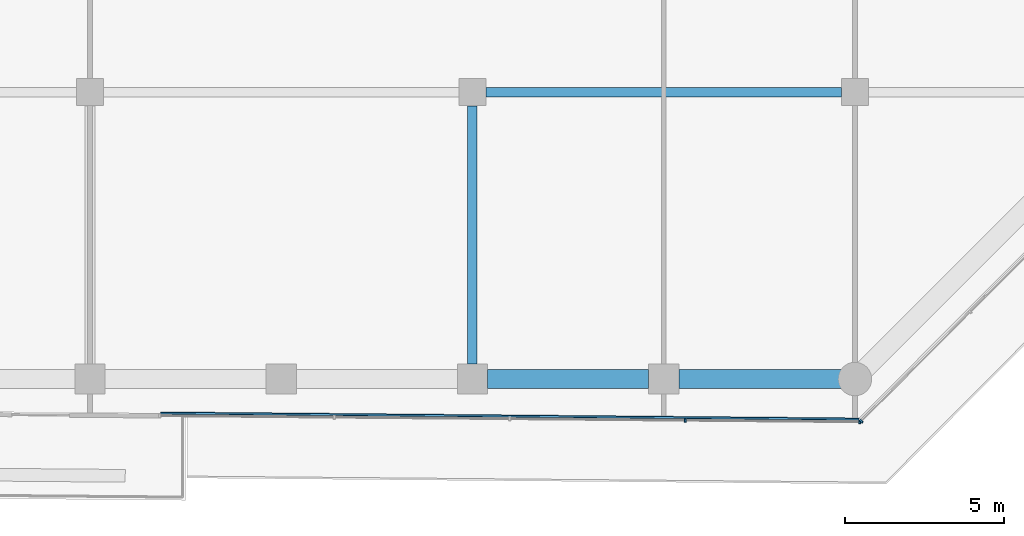
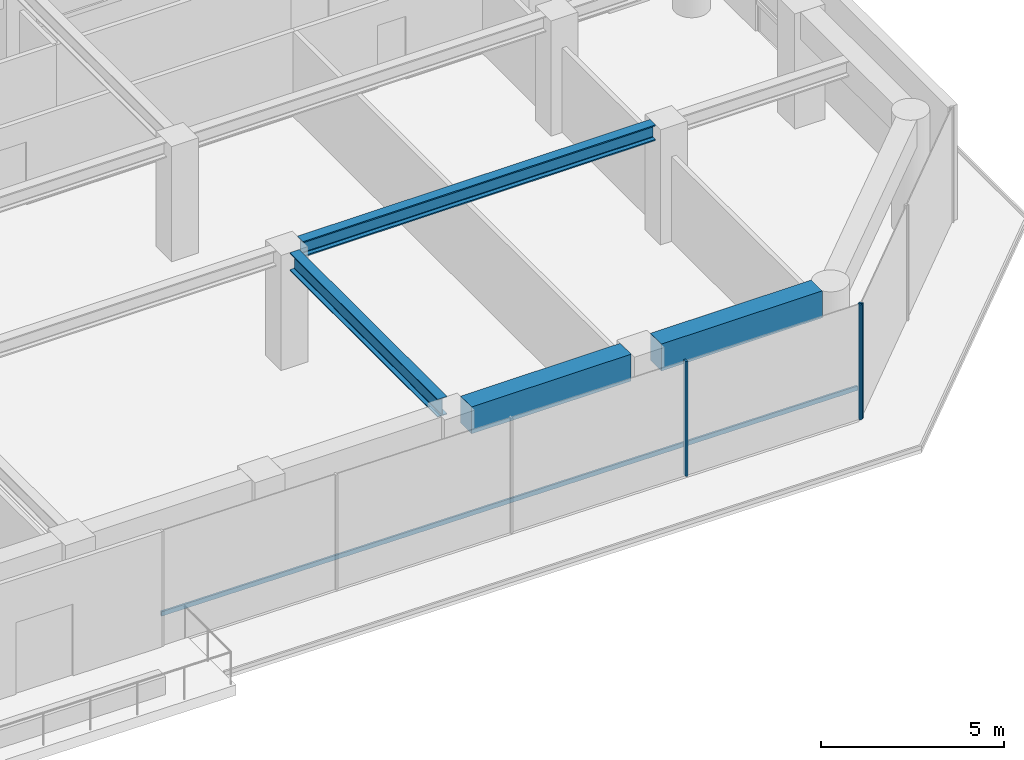
# One storey, part 8 of 29: 4 beams, 4 members, 2 elements without a shape of their own.
"""IFC4 building model written with IfcOpenShell, lengths in metres."""

from ifc_helpers import new_model, si_unit, direction, frame, origin, origin_2d, place, context, subcontext, project, spatial, rectangle, i_section, extrude, material, layer, layer_set, material_profile, profile_set, type_object, element, aggregate, save


model = new_model("IFC4")

# Units and contexts
model_context = context("Model", 3, precision=1e-05, world=origin(), true_north=direction((0.0, 1.0)))
body_context = subcontext(model_context, "Body", "Model", "MODEL_VIEW")
ifc_project = project(units=[si_unit("LENGTHUNIT", "METRE"), si_unit("AREAUNIT", "SQUARE_METRE"), si_unit("VOLUMEUNIT", "CUBIC_METRE"), si_unit("PLANEANGLEUNIT", "RADIAN"), si_unit("MASSUNIT", "GRAM", prefix="KILO")], contexts=[model_context])

# Site, building, storey
site_placement = place(None, origin())
site = spatial("IfcSite", under=ifc_project, at=site_placement, CompositionType="ELEMENT")
building_placement = place(site_placement, origin())
building = spatial("IfcBuilding", under=site, at=building_placement, Name="Welwitschia Terrace Campus", CompositionType="ELEMENT")
storey_placement = place(building_placement, frame((0.0, 0.0, 50.0)))
storey = spatial("IfcBuildingStorey", under=building, at=storey_placement, Name="L11", CompositionType="ELEMENT", Elevation=50.0)

# Beam
ifc_material_1 = material(Name="Steel S355", Category="steel")
ifc_material_profile_1 = material_profile(ifc_material_1, i_section(OverallWidth=0.305908203125, OverallDepth=0.52392578125, WebThickness=0.02099609375, FlangeThickness=0.0400390625, FilletRadius=0.027099609375, at=origin_2d()))
ifc_profile_set_1 = profile_set([ifc_material_profile_1], Name="Steel S355")
beam_type_1 = type_object("IfcBeamType", Name="Interior girder HE 500 M", PredefinedType="BEAM", material=ifc_profile_set_1)
beam_1_placement = place(storey_placement, frame((48.425537109375, 5.0, 3.587890625), z_axis=(1.0, 0.0, 0.0), x_axis=(0.0, 1.0, 0.0)))
element("IfcBeam", 1, at=beam_1_placement, inside=storey, type_object=beam_type_1, Name="Girder GB2", PredefinedType="BEAM", context=body_context, shape_type="SweptSolid", body=[
    extrude(i_section(OverallWidth=0.305908203125, OverallDepth=0.52392578125, WebThickness=0.02099609375, FlangeThickness=0.0400390625, FilletRadius=0.027099609375, at=origin_2d()), origin(), (0.0, 0.0, 1.0), 11.14892578125),
])

# Curtain wall, members
ifc_material_2 = material(Name="Bronze anodised aluminium", Category="aluminium")
ifc_layer = layer(ifc_material_2, 0.1201171875)
ifc_layer_set = layer_set([ifc_layer], Name="Bronze anodised aluminium")
curtain_wall_type = type_object("IfcCurtainWallType", Name="Curtain wall CW2 tower 6000", PredefinedType="NOTDEFINED", material=ifc_layer_set)
curtain_wall_1_placement = place(storey_placement, origin())
curtain_wall_1 = element("IfcCurtainWall", 2, at=curtain_wall_1_placement, inside=storey, type_object=curtain_wall_type, Name="CW L11.2.2", PredefinedType="NOTDEFINED")
ifc_material_3 = material(Name="Bronze anodised aluminium", Category="aluminium")
ifc_material_profile_2 = material_profile(ifc_material_3, rectangle(XDim=0.1201171875, YDim=0.06005859375, at=origin_2d()))
ifc_profile_set_2 = profile_set([ifc_material_profile_2], Name="Bronze anodised aluminium")
member_type_1 = type_object("IfcMemberType", Name="Mullion 60x120", PredefinedType="MULLION", material=ifc_profile_set_2)
member_1_placement = place(storey_placement, frame((54.674560546875, -5.29833984375, 0.0), z_axis=(0.0, 0.0, 1.0), x_axis=(0.008726535498, 0.999961923064, 0.0)))
member_1 = element("IfcMember", 3, at=member_1_placement, type_object=member_type_1, Name="Mullion L11.2.2.3", PredefinedType="MULLION", context=body_context, shape_type="SweptSolid", body=[
    extrude(rectangle(XDim=0.1201171875, YDim=0.06005859375, at=origin_2d()), origin(), (0.0, 0.0, 1.0), 3.85009765625),
])
member_2_placement = place(storey_placement, frame((60.1513671875, -5.34619140625, 0.0), z_axis=(0.0, 0.0, 1.0), x_axis=(0.008726535498, 0.999961923064, 0.0)))
member_2 = element("IfcMember", 4, at=member_2_placement, type_object=member_type_1, Name="Mullion L11.2.2.4", PredefinedType="MULLION", context=body_context, shape_type="SweptSolid", body=[
    extrude(rectangle(XDim=0.1201171875, YDim=0.06005859375, at=origin_2d()), origin(), (0.0, 0.0, 1.0), 3.85009765625),
])

# Curtain wall, member
curtain_wall_2_placement = place(storey_placement, origin())
curtain_wall_2 = element("IfcCurtainWall", 5, at=curtain_wall_2_placement, inside=storey, type_object=curtain_wall_type, Name="CW L11.3.0", PredefinedType="NOTDEFINED")
member_3_placement = place(storey_placement, frame((60.202392578125, -5.3251953125, 0.0), z_axis=(0.0, 0.0, 1.0), x_axis=(-0.708719144918, 0.705490732488, 0.0)))
member_3 = element("IfcMember", 6, at=member_3_placement, type_object=member_type_1, Name="Mullion L11.3.0.0", PredefinedType="MULLION", context=body_context, shape_type="SweptSolid", body=[
    extrude(rectangle(XDim=0.1201171875, YDim=0.06005859375, at=origin_2d()), origin(), (0.0, 0.0, 1.0), 3.85009765625),
])
aggregate(curtain_wall_2, [member_3])

# Beams
ifc_material_4 = material(Name="Steel S355", Category="steel")
ifc_material_profile_3 = material_profile(ifc_material_4, i_section(OverallWidth=0.300048828125, OverallDepth=0.60009765625, WebThickness=0.015380859375, FlangeThickness=0.030029296875, FilletRadius=0.027099609375, at=origin_2d()))
ifc_profile_set_3 = profile_set([ifc_material_profile_3], Name="Steel S355")
beam_type_2 = type_object("IfcBeamType", Name="Primary beam HE 600 B", PredefinedType="BEAM", material=ifc_profile_set_3)
beam_2_placement = place(storey_placement, frame((48.0, -3.5244140625, 3.550048828125), z_axis=(0.0, 1.0, 0.0), x_axis=(-1.0, 0.0, 0.0)))
element("IfcBeam", 7, at=beam_2_placement, inside=storey, type_object=beam_type_2, Name="Primary beam PB2", PredefinedType="BEAM", context=body_context, shape_type="SweptSolid", body=[
    extrude(i_section(OverallWidth=0.300048828125, OverallDepth=0.60009765625, WebThickness=0.015380859375, FlangeThickness=0.030029296875, FilletRadius=0.027099609375, at=origin_2d()), origin(), (0.0, 0.0, 1.0), 8.098876953125),
])
ifc_material_5 = material(Name="Concrete C60/75", Category="concrete")
ifc_material_profile_4 = material_profile(ifc_material_5, rectangle(XDim=0.60009765625, YDim=0.89990234375, at=origin_2d()))
ifc_profile_set_4 = profile_set([ifc_material_profile_4], Name="Concrete C60/75")
beam_type_3 = type_object("IfcBeamType", Name="Ring spandrel 600x900", PredefinedType="SPANDREL", material=ifc_profile_set_4)
beam_3_placement = place(storey_placement, frame((48.4755859375, -4.0, 3.39990234375), z_axis=(1.0, 0.0, 0.0), x_axis=(0.0, 1.0, 0.0)))
element("IfcBeam", 8, at=beam_3_placement, inside=storey, type_object=beam_type_3, Name="Spandrel SP2", PredefinedType="SPANDREL", context=body_context, shape_type="SweptSolid", body=[
    extrude(rectangle(XDim=0.60009765625, YDim=0.89990234375, at=origin_2d()), origin(), (0.0, 0.0, 1.0), 5.048828125),
])
beam_4_placement = place(storey_placement, frame((54.4755859375, -4.0, 3.39990234375), z_axis=(1.0, 0.0, 0.0), x_axis=(0.0, 1.0, 0.0)))
element("IfcBeam", 9, at=beam_4_placement, inside=storey, type_object=beam_type_3, Name="Spandrel SP2", PredefinedType="SPANDREL", context=body_context, shape_type="SweptSolid", body=[
    extrude(rectangle(XDim=0.60009765625, YDim=0.89990234375, at=origin_2d()), origin(), (0.0, 0.0, 1.0), 5.093017578125),
])

# Member
ifc_material_6 = material(Name="Bronze anodised aluminium", Category="aluminium")
ifc_material_profile_5 = material_profile(ifc_material_6, rectangle(XDim=0.06005859375, YDim=0.14990234375, at=origin_2d()))
ifc_profile_set_5 = profile_set([ifc_material_profile_5], Name="Bronze anodised aluminium")
member_type_2 = type_object("IfcMemberType", Name="Transom 60x150", PredefinedType="USERDEFINED", material=ifc_profile_set_5)
member_4_placement = place(storey_placement, frame((38.21484375, -5.064697265625, 1.0), z_axis=(0.999961930775, -0.00872565185, 0.0), x_axis=(0.00872565185, 0.999961930775, 0.0)))
member_4 = element("IfcMember", 10, at=member_4_placement, type_object=member_type_2, Name="Transom L11.2.2", ObjectType="TRANSOM", PredefinedType="USERDEFINED", context=body_context, shape_type="SweptSolid", body=[
    extrude(rectangle(XDim=0.06005859375, YDim=0.14990234375, at=origin_2d()), origin(), (0.0, 0.0, 1.0), 21.907958984375),
])

aggregate(curtain_wall_1, [member_1, member_2, member_4])

save(model, "model.ifc")
